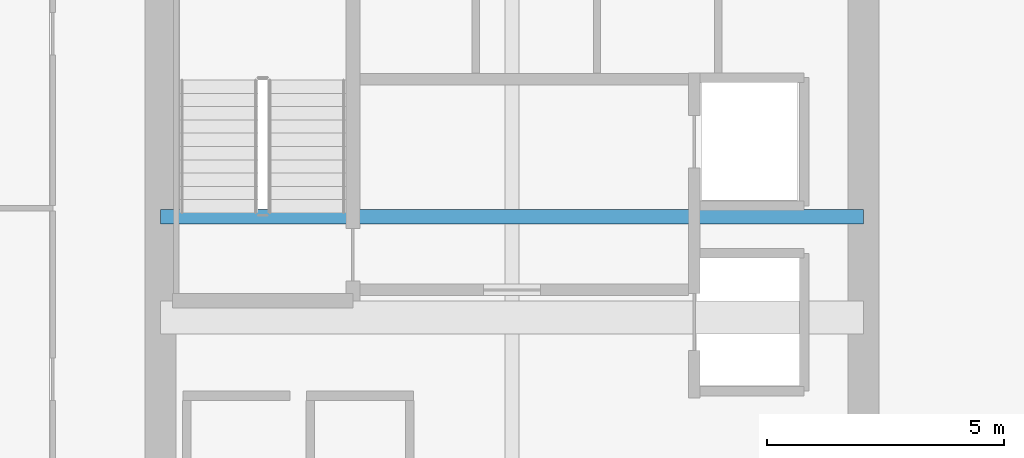
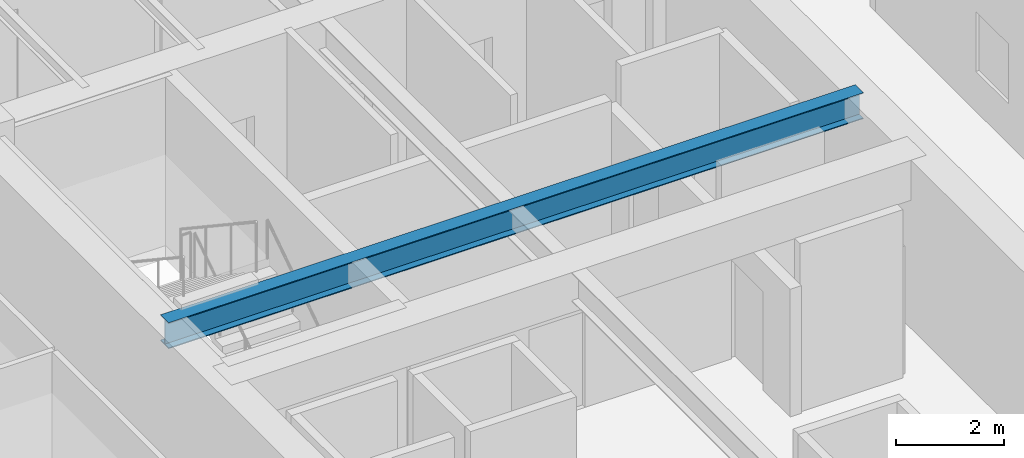
# One storey, part 9 of 33: 1 beam.
"""IFC4 building model written with IfcOpenShell, lengths in metres."""

from ifc_helpers import new_model, si_unit, direction, frame, origin, origin_2d, place, context, subcontext, project, spatial, i_section, extrude, source, transform, mapped, material, material_profile, profile_set, type_object, type_shapes, element, save


model = new_model("IFC4")

# Units and contexts
model_context = context("Model", 3, precision=1e-05, world=origin(), true_north=direction((0.0, 1.0)))
body_context = subcontext(model_context, "Body", "Model", "MODEL_VIEW")
ifc_project = project(units=[si_unit("LENGTHUNIT", "METRE"), si_unit("AREAUNIT", "SQUARE_METRE"), si_unit("VOLUMEUNIT", "CUBIC_METRE"), si_unit("PLANEANGLEUNIT", "RADIAN"), si_unit("MASSUNIT", "GRAM", prefix="KILO")], contexts=[model_context])

# Site, building, storey
site_placement = place(None, origin())
site = spatial("IfcSite", under=ifc_project, at=site_placement, CompositionType="ELEMENT")
building_placement = place(site_placement, origin())
building = spatial("IfcBuilding", under=site, at=building_placement, Name="Haelvirn Gate Laboratories", CompositionType="ELEMENT")
storey_placement = place(building_placement, frame((0.0, 0.0, 137.89990234375)))
storey = spatial("IfcBuildingStorey", under=building, at=storey_placement, Name="L33", CompositionType="ELEMENT", Elevation=137.89990234375)

# Beam
ifc_material = material(Name="Steel SM355", Category="steel")
ifc_material_profile = material_profile(ifc_material, i_section(OverallWidth=0.300048828125, OverallDepth=0.587890625, WebThickness=0.011962890625, FlangeThickness=0.02001953125, at=origin_2d()), Name="H-588x300x12x20")
ifc_profile_set = profile_set([ifc_material_profile], Name="Steel SM355")
beam_type = type_object("IfcBeamType", Name="BM-G-588", PredefinedType="BEAM", material=ifc_profile_set)
shared_shape = source(origin(), body_context, "Body", "SweptSolid", [
    extrude(i_section(OverallWidth=0.300048828125, OverallDepth=0.587890625, WebThickness=0.011962890625, FlangeThickness=0.02001953125, at=origin_2d()), origin(), (0.0, 0.0, 1.0), 14.800048828125),
])
type_shapes(beam_type, [shared_shape])
beam_placement = place(storey_placement, frame((7.39990234375, 26.6201171875, 3.49609375), z_axis=(1.0, 0.0, 0.0), x_axis=(0.0, 1.0, 0.0)))
element("IfcBeam", 1, at=beam_placement, inside=storey, type_object=beam_type, Name="L33 Stair ST1 Landing Header", PredefinedType="BEAM", context=body_context, shape_type="MappedRepresentation", body=[
    mapped(shared_shape, transform((0.0, 0.0, 0.0), scale=1.0)),
])

save(model, "model.ifc")
